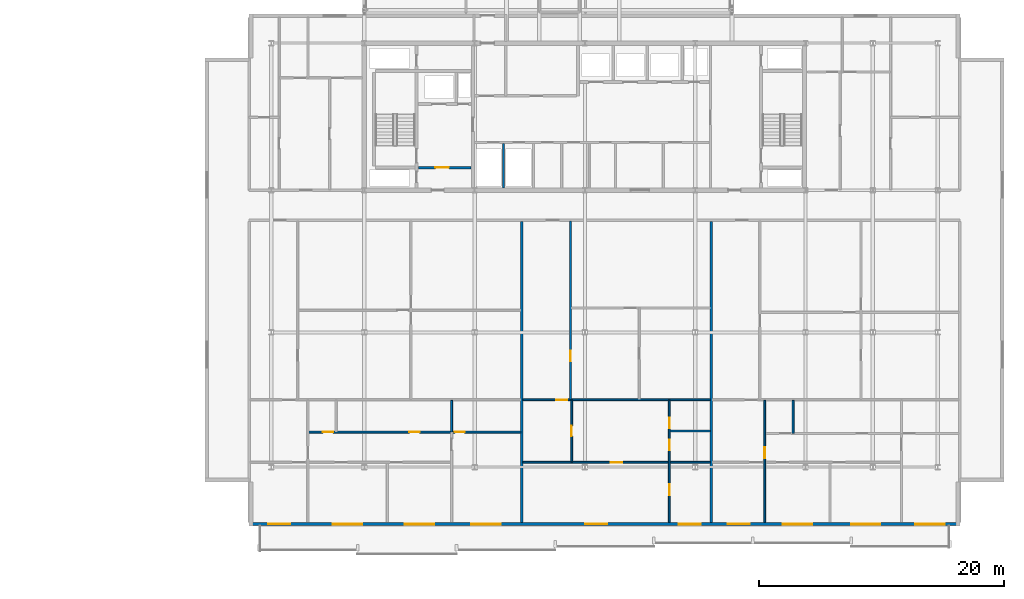
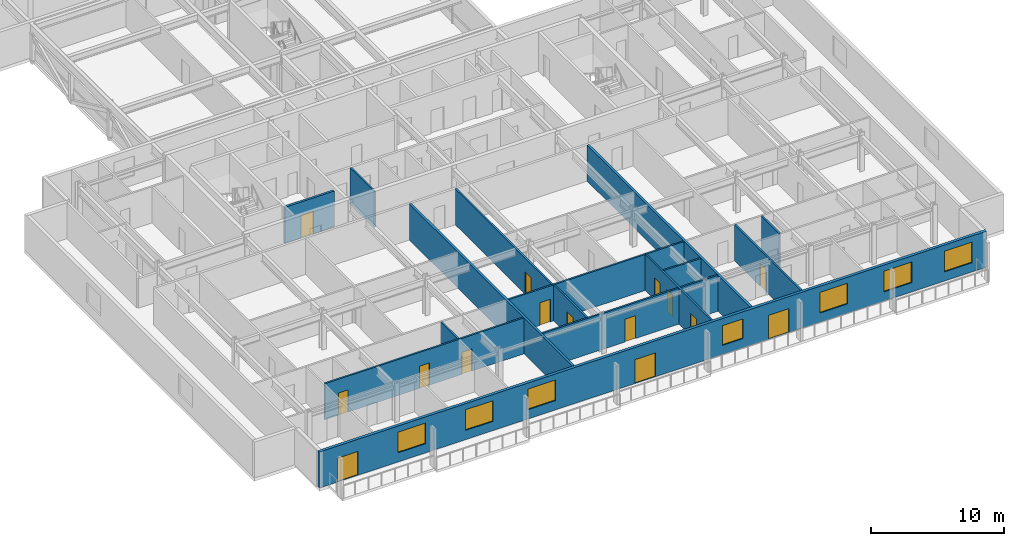
# One storey, part 18 of 36: 15 doors, 15 walls, 7 windows, 22 openings.
"""IFC4 building model written with IfcOpenShell, lengths in metres."""

from ifc_helpers import new_model, si_unit, direction, frame, frame_2d, origin, place, context, subcontext, project, spatial, rectangle, extrude, material, layer, layer_set, type_object, element, fill, save


model = new_model("IFC4")

# Units and contexts
model_context = context("Model", 3, precision=1e-05, world=origin(), true_north=direction((0.0, 1.0)))
body_context = subcontext(model_context, "Body", "Model", "MODEL_VIEW")
ifc_project = project(units=[si_unit("LENGTHUNIT", "METRE"), si_unit("AREAUNIT", "SQUARE_METRE"), si_unit("VOLUMEUNIT", "CUBIC_METRE"), si_unit("PLANEANGLEUNIT", "RADIAN"), si_unit("MASSUNIT", "GRAM", prefix="KILO")], contexts=[model_context])

# Site, building, storey
site_placement = place(None, origin())
site = spatial("IfcSite", under=ifc_project, at=site_placement, CompositionType="ELEMENT")
building_placement = place(site_placement, origin())
building = spatial("IfcBuilding", under=site, at=building_placement, Name="Korimba Cascade Residences", CompositionType="ELEMENT")
storey_placement = place(building_placement, frame((0.0, 0.0, 146.5)))
storey = spatial("IfcBuildingStorey", under=building, at=storey_placement, Name="L42", CompositionType="ELEMENT", Elevation=146.5)

# Wall, openings, doors, windows
ifc_material_1 = material(Name="Precast concrete C40/50", Category="concrete")
ifc_layer_1 = layer(ifc_material_1, 0.25)
ifc_layer_set_1 = layer_set([ifc_layer_1], Name="Precast concrete C40/50")
wall_type_1 = type_object("IfcWallType", Name="EW-LOG-250", PredefinedType="STANDARD", material=ifc_layer_set_1)
wall_1_placement = place(storey_placement, frame((72.699951171875, -8.85009765625, 0.0), z_axis=(0.0, 0.0, 1.0), x_axis=(1.0, 0.0, 0.0)))
wall_1 = element("IfcWall", 1, at=wall_1_placement, inside=storey, type_object=wall_type_1, Name="L42 T2 Perimeter Stone Wall E00", PredefinedType="STANDARD", context=body_context, shape_type="SweptSolid", body=[
    extrude(rectangle(XDim=58.0, YDim=0.25, at=frame_2d((29.0, 0.0))), origin(), (0.0, 0.0, 1.0), 3.31005859375),
])
opening_1_placement = place(wall_1_placement, frame((6.8349609375, 0.0, 0.85009765625)))
opening_1 = element("IfcOpeningElement", 2, at=opening_1_placement, cuts=wall_1, Name="Opening W-01", PredefinedType="OPENING", context=body_context, shape_type="SweptSolid", body=[
    extrude(rectangle(XDim=2.39990234375, YDim=1.89990234375, at=frame_2d((1.199951171875, 0.949951171875))), frame((0.0, 0.135009765625, 0.0), z_axis=(0.0, -1.0, 0.0), x_axis=(1.0, 0.0, 0.0)), (0.0, 0.0, 1.0), 0.27001953125),
])
opening_2_placement = place(wall_1_placement, frame((12.699951171875, 0.0, 0.85009765625)))
opening_2 = element("IfcOpeningElement", 3, at=opening_2_placement, cuts=wall_1, Name="Opening W-01", PredefinedType="OPENING", context=body_context, shape_type="SweptSolid", body=[
    extrude(rectangle(XDim=2.39990234375, YDim=1.89990234375, at=frame_2d((1.199951171875, 0.949951171875))), frame((0.0, 0.135009765625, 0.0), z_axis=(0.0, -1.0, 0.0), x_axis=(1.0, 0.0, 0.0)), (0.0, 0.0, 1.0), 0.27001953125),
])
opening_3_placement = place(wall_1_placement, frame((1.554931640625, 0.0, 0.0)))
opening_3 = element("IfcOpeningElement", 4, at=opening_3_placement, cuts=wall_1, Name="Opening D-LG1", PredefinedType="OPENING", context=body_context, shape_type="SweptSolid", body=[
    extrude(rectangle(XDim=1.800048828125, YDim=2.199951171875, at=frame_2d((0.89990234375, 1.10009765625))), frame((0.0, 0.135009765625, 0.0), z_axis=(0.0, -1.0, 0.0), x_axis=(1.0, 0.0, 0.0)), (0.0, 0.0, 1.0), 0.27001953125),
])
opening_4_placement = place(wall_1_placement, frame((18.125, 0.0, 0.85009765625)))
opening_4 = element("IfcOpeningElement", 5, at=opening_4_placement, cuts=wall_1, Name="Opening W-01", PredefinedType="OPENING", context=body_context, shape_type="SweptSolid", body=[
    extrude(rectangle(XDim=2.39990234375, YDim=1.89990234375, at=frame_2d((1.199951171875, 0.949951171875))), frame((0.0, 0.135009765625, 0.0), z_axis=(0.0, -1.0, 0.0), x_axis=(1.0, 0.0, 0.0)), (0.0, 0.0, 1.0), 0.27001953125),
])
opening_5_placement = place(wall_1_placement, frame((27.42919921875, 0.0, 0.0)))
opening_5 = element("IfcOpeningElement", 6, at=opening_5_placement, cuts=wall_1, Name="Opening D-LG1", PredefinedType="OPENING", context=body_context, shape_type="SweptSolid", body=[
    extrude(rectangle(XDim=1.800048828125, YDim=2.199951171875, at=frame_2d((0.89990234375, 1.10009765625))), frame((0.0, 0.135009765625, 0.0), z_axis=(0.0, -1.0, 0.0), x_axis=(1.0, 0.0, 0.0)), (0.0, 0.0, 1.0), 0.27001953125),
])
opening_6_placement = place(wall_1_placement, frame((35.038330078125, 0.0, 0.85009765625)))
opening_6 = element("IfcOpeningElement", 7, at=opening_6_placement, cuts=wall_1, Name="Opening W-02", PredefinedType="OPENING", context=body_context, shape_type="SweptSolid", body=[
    extrude(rectangle(XDim=1.800048828125, YDim=1.800048828125, at=frame_2d((0.89990234375, 0.89990234375))), frame((0.0, 0.135009765625, 0.0), z_axis=(0.0, -1.0, 0.0), x_axis=(1.0, 0.0, 0.0)), (0.0, 0.0, 1.0), 0.27001953125),
])
opening_7_placement = place(wall_1_placement, frame((43.541259765625, 0.0, 0.85009765625)))
opening_7 = element("IfcOpeningElement", 8, at=opening_7_placement, cuts=wall_1, Name="Opening W-01", PredefinedType="OPENING", context=body_context, shape_type="SweptSolid", body=[
    extrude(rectangle(XDim=2.39990234375, YDim=1.89990234375, at=frame_2d((1.199951171875, 0.949951171875))), frame((0.0, 0.135009765625, 0.0), z_axis=(0.0, -1.0, 0.0), x_axis=(1.0, 0.0, 0.0)), (0.0, 0.0, 1.0), 0.27001953125),
])
opening_8_placement = place(wall_1_placement, frame((49.1171875, 0.0, 0.85009765625)))
opening_8 = element("IfcOpeningElement", 9, at=opening_8_placement, cuts=wall_1, Name="Opening W-01", PredefinedType="OPENING", context=body_context, shape_type="SweptSolid", body=[
    extrude(rectangle(XDim=2.39990234375, YDim=1.89990234375, at=frame_2d((1.199951171875, 0.949951171875))), frame((0.0, 0.135009765625, 0.0), z_axis=(0.0, -1.0, 0.0), x_axis=(1.0, 0.0, 0.0)), (0.0, 0.0, 1.0), 0.27001953125),
])
opening_9_placement = place(wall_1_placement, frame((39.05322265625, 0.0, 0.0)))
opening_9 = element("IfcOpeningElement", 10, at=opening_9_placement, cuts=wall_1, Name="Opening D-LG1", PredefinedType="OPENING", context=body_context, shape_type="SweptSolid", body=[
    extrude(rectangle(XDim=1.800048828125, YDim=2.199951171875, at=frame_2d((0.89990234375, 1.10009765625))), frame((0.0, 0.135009765625, 0.0), z_axis=(0.0, -1.0, 0.0), x_axis=(1.0, 0.0, 0.0)), (0.0, 0.0, 1.0), 0.27001953125),
])
opening_10_placement = place(wall_1_placement, frame((54.35498046875, 0.0, 0.85009765625)))
opening_10 = element("IfcOpeningElement", 11, at=opening_10_placement, cuts=wall_1, Name="Opening W-01", PredefinedType="OPENING", context=body_context, shape_type="SweptSolid", body=[
    extrude(rectangle(XDim=2.39990234375, YDim=1.89990234375, at=frame_2d((1.199951171875, 0.949951171875))), frame((0.0, 0.135009765625, 0.0), z_axis=(0.0, -1.0, 0.0), x_axis=(1.0, 0.0, 0.0)), (0.0, 0.0, 1.0), 0.27001953125),
])
ifc_material_2 = material(Name="Glazed Aluminium Loggia Sliding Door", Category="aluminium")
door_type_1 = type_object("IfcDoorType", Name="DR-EXT-LOG", OperationType="NOTDEFINED", PredefinedType="DOOR", material=ifc_material_2)
door_1_placement = place(opening_3_placement, origin())
door_1 = element("IfcDoor", 12, at=door_1_placement, inside=storey, type_object=door_type_1, Name="L42 T2 Loggia Sliding Door 5", OperationType="SLIDING_TO_RIGHT", OverallHeight=2.199951171875, OverallWidth=1.800048828125, PredefinedType="DOOR", context=body_context, shape_type="SweptSolid", body=[
    extrude(rectangle(XDim=1.800048828125, YDim=2.199951171875, at=frame_2d((0.89990234375, 1.10009765625))), frame((0.0, 0.02490234375, 0.0), z_axis=(0.0, -1.0, 0.0), x_axis=(1.0, 0.0, 0.0)), (0.0, 0.0, 1.0), 0.050048828125),
])
fill(opening_3, door_1)
door_2_placement = place(opening_5_placement, origin())
door_2 = element("IfcDoor", 13, at=door_2_placement, inside=storey, type_object=door_type_1, Name="L42 T2 Loggia Sliding Door 7", OperationType="SLIDING_TO_RIGHT", OverallHeight=2.199951171875, OverallWidth=1.800048828125, PredefinedType="DOOR", context=body_context, shape_type="SweptSolid", body=[
    extrude(rectangle(XDim=1.800048828125, YDim=2.199951171875, at=frame_2d((0.89990234375, 1.10009765625))), frame((0.0, 0.02490234375, 0.0), z_axis=(0.0, -1.0, 0.0), x_axis=(1.0, 0.0, 0.0)), (0.0, 0.0, 1.0), 0.050048828125),
])
fill(opening_5, door_2)
door_3_placement = place(opening_9_placement, origin())
door_3 = element("IfcDoor", 14, at=door_3_placement, inside=storey, type_object=door_type_1, Name="L42 T2 Loggia Sliding Door 11", OperationType="SLIDING_TO_RIGHT", OverallHeight=2.199951171875, OverallWidth=1.800048828125, PredefinedType="DOOR", context=body_context, shape_type="SweptSolid", body=[
    extrude(rectangle(XDim=1.800048828125, YDim=2.199951171875, at=frame_2d((0.89990234375, 1.10009765625))), frame((0.0, 0.02490234375, 0.0), z_axis=(0.0, -1.0, 0.0), x_axis=(1.0, 0.0, 0.0)), (0.0, 0.0, 1.0), 0.050048828125),
])
fill(opening_9, door_3)
ifc_material_3 = material(Name="Double-Glazed Aluminium Window", Category="aluminium")
window_type_1 = type_object("IfcWindowType", Name="WIN-BED-1800", PartitioningType="SINGLE_PANEL", PredefinedType="WINDOW", material=ifc_material_3)
window_1_placement = place(opening_6_placement, origin())
window_1 = element("IfcWindow", 15, at=window_1_placement, inside=storey, type_object=window_type_1, Name="L42 T2 South Facade Window 8", OverallHeight=1.800048828125, OverallWidth=1.800048828125, PartitioningType="SINGLE_PANEL", PredefinedType="WINDOW", context=body_context, shape_type="SweptSolid", body=[
    extrude(rectangle(XDim=1.800048828125, YDim=1.800048828125, at=frame_2d((0.89990234375, 0.89990234375))), frame((0.0, 0.030029296875, 0.0), z_axis=(0.0, -1.0, 0.0), x_axis=(1.0, 0.0, 0.0)), (0.0, 0.0, 1.0), 0.06005859375),
])
fill(opening_6, window_1)
window_type_2 = type_object("IfcWindowType", Name="WIN-RES-2400", PartitioningType="DOUBLE_PANEL_VERTICAL", PredefinedType="WINDOW", material=ifc_material_3)
window_2_placement = place(opening_1_placement, origin())
window_2 = element("IfcWindow", 16, at=window_2_placement, inside=storey, type_object=window_type_2, Name="L42 T2 South Facade Window 3", OverallHeight=1.89990234375, OverallWidth=2.39990234375, PartitioningType="DOUBLE_PANEL_VERTICAL", PredefinedType="WINDOW", context=body_context, shape_type="SweptSolid", body=[
    extrude(rectangle(XDim=2.39990234375, YDim=1.89990234375, at=frame_2d((1.199951171875, 0.949951171875))), frame((0.0, 0.030029296875, 0.0), z_axis=(0.0, -1.0, 0.0), x_axis=(1.0, 0.0, 0.0)), (0.0, 0.0, 1.0), 0.06005859375),
])
fill(opening_1, window_2)
window_3_placement = place(opening_2_placement, origin())
window_3 = element("IfcWindow", 17, at=window_3_placement, inside=storey, type_object=window_type_2, Name="L42 T2 South Facade Window 4", OverallHeight=1.89990234375, OverallWidth=2.39990234375, PartitioningType="DOUBLE_PANEL_VERTICAL", PredefinedType="WINDOW", context=body_context, shape_type="SweptSolid", body=[
    extrude(rectangle(XDim=2.39990234375, YDim=1.89990234375, at=frame_2d((1.199951171875, 0.949951171875))), frame((0.0, 0.030029296875, 0.0), z_axis=(0.0, -1.0, 0.0), x_axis=(1.0, 0.0, 0.0)), (0.0, 0.0, 1.0), 0.06005859375),
])
fill(opening_2, window_3)
window_4_placement = place(opening_4_placement, origin())
window_4 = element("IfcWindow", 18, at=window_4_placement, inside=storey, type_object=window_type_2, Name="L42 T2 South Facade Window 6", OverallHeight=1.89990234375, OverallWidth=2.39990234375, PartitioningType="DOUBLE_PANEL_VERTICAL", PredefinedType="WINDOW", context=body_context, shape_type="SweptSolid", body=[
    extrude(rectangle(XDim=2.39990234375, YDim=1.89990234375, at=frame_2d((1.199951171875, 0.949951171875))), frame((0.0, 0.030029296875, 0.0), z_axis=(0.0, -1.0, 0.0), x_axis=(1.0, 0.0, 0.0)), (0.0, 0.0, 1.0), 0.06005859375),
])
fill(opening_4, window_4)
window_5_placement = place(opening_7_placement, origin())
window_5 = element("IfcWindow", 19, at=window_5_placement, inside=storey, type_object=window_type_2, Name="L42 T2 South Facade Window 9", OverallHeight=1.89990234375, OverallWidth=2.39990234375, PartitioningType="DOUBLE_PANEL_VERTICAL", PredefinedType="WINDOW", context=body_context, shape_type="SweptSolid", body=[
    extrude(rectangle(XDim=2.39990234375, YDim=1.89990234375, at=frame_2d((1.199951171875, 0.949951171875))), frame((0.0, 0.030029296875, 0.0), z_axis=(0.0, -1.0, 0.0), x_axis=(1.0, 0.0, 0.0)), (0.0, 0.0, 1.0), 0.06005859375),
])
fill(opening_7, window_5)
window_6_placement = place(opening_8_placement, origin())
window_6 = element("IfcWindow", 20, at=window_6_placement, inside=storey, type_object=window_type_2, Name="L42 T2 South Facade Window 10", OverallHeight=1.89990234375, OverallWidth=2.39990234375, PartitioningType="DOUBLE_PANEL_VERTICAL", PredefinedType="WINDOW", context=body_context, shape_type="SweptSolid", body=[
    extrude(rectangle(XDim=2.39990234375, YDim=1.89990234375, at=frame_2d((1.199951171875, 0.949951171875))), frame((0.0, 0.030029296875, 0.0), z_axis=(0.0, -1.0, 0.0), x_axis=(1.0, 0.0, 0.0)), (0.0, 0.0, 1.0), 0.06005859375),
])
fill(opening_8, window_6)
window_7_placement = place(opening_10_placement, origin())
window_7 = element("IfcWindow", 21, at=window_7_placement, inside=storey, type_object=window_type_2, Name="L42 T2 South Facade Window 12", OverallHeight=1.89990234375, OverallWidth=2.39990234375, PartitioningType="DOUBLE_PANEL_VERTICAL", PredefinedType="WINDOW", context=body_context, shape_type="SweptSolid", body=[
    extrude(rectangle(XDim=2.39990234375, YDim=1.89990234375, at=frame_2d((1.199951171875, 0.949951171875))), frame((0.0, 0.030029296875, 0.0), z_axis=(0.0, -1.0, 0.0), x_axis=(1.0, 0.0, 0.0)), (0.0, 0.0, 1.0), 0.06005859375),
])
fill(opening_10, window_7)

# Walls
ifc_layer_2 = layer(ifc_material_1, 0.199951171875)
ifc_layer_set_2 = layer_set([ifc_layer_2], Name="Precast concrete C40/50")
wall_type_2 = type_object("IfcWallType", Name="WAL-IT-200", PredefinedType="PARTITIONING", material=ifc_layer_set_2)
for number, where, z_axis, x_axis, name in (
    (22, (94.949951171875, -8.699951171875, 0.0), (0.0, 0.0, 1.0), (0.0, 1.0, 0.0), "L42 Partition Wall WAL-L42-T2-DEM-1"),
    (23, (110.408203125, -8.699951171875, 0.0), (0.0, 0.0, 1.0), (0.0, 1.0, 0.0), "L42 Partition Wall WAL-L42-T2-DEM-2"),
):
    element("IfcWall", number, at=place(storey_placement, frame(where, z_axis=z_axis, x_axis=x_axis)), inside=storey, type_object=wall_type_2, Name=name, PredefinedType="PARTITIONING", context=body_context, shape_type="SweptSolid", body=[
        extrude(rectangle(XDim=24.570068359375, YDim=0.199951171875, at=frame_2d((12.28515625, 0.0))), origin(), (0.0, 0.0, 1.0), 3.31005859375),
    ])
ifc_material_4 = material(Name="Insulated Acoustic Stud Partition", Category="gypsum")
ifc_layer_3 = layer(ifc_material_4, 0.14990234375)
ifc_layer_set_3 = layer_set([ifc_layer_3], Name="Insulated Acoustic Stud Partition")
wall_type_3 = type_object("IfcWallType", Name="WAL-PART-150", PredefinedType="PARTITIONING", material=ifc_layer_set_3)
wall_2_placement = place(storey_placement, frame((93.449951171875, 18.60009765625, 0.0), z_axis=(0.0, 0.0, 1.0), x_axis=(0.0, 1.0, 0.0)))
element("IfcWall", 24, at=wall_2_placement, inside=storey, type_object=wall_type_3, Name="L42 Partition Wall CW-L42-T2-ERDIV", PredefinedType="PARTITIONING", context=body_context, shape_type="SweptSolid", body=[
    extrude(rectangle(XDim=3.599853515625, YDim=0.14990234375, at=frame_2d((1.7998046875, 0.0))), origin(), (0.0, 0.0, 1.0), 3.31005859375),
])
wall_3_placement = place(storey_placement, frame((89.219970703125, -1.320068359375, 0.0), z_axis=(0.0, 0.0, 1.0), x_axis=(0.0, 1.0, 0.0)))
element("IfcWall", 25, at=wall_3_placement, inside=storey, type_object=wall_type_3, Name="L42 Partition Wall WAL-L42-T2-U01-VBATH", PredefinedType="PARTITIONING", context=body_context, shape_type="SweptSolid", body=[
    extrude(rectangle(XDim=2.580078125, YDim=0.14990234375, at=frame_2d((1.2900390625, 0.0))), origin(), (0.0, 0.0, 1.0), 3.31005859375),
])

# Wall, openings, doors
wall_4_placement = place(storey_placement, frame((77.530029296875, -1.340087890625, 0.0), z_axis=(0.0, 0.0, 1.0), x_axis=(1.0, 0.0, 0.0)))
wall_4 = element("IfcWall", 26, at=wall_4_placement, inside=storey, type_object=wall_type_3, Name="L42 Partition Wall WAL-L42-T2-U01-HWALL", PredefinedType="PARTITIONING", context=body_context, shape_type="SweptSolid", body=[
    extrude(rectangle(XDim=17.340087890625, YDim=0.14990234375, at=frame_2d((8.669921875, 0.0))), origin(), (0.0, 0.0, 1.0), 3.31005859375),
])
opening_11_placement = place(wall_4_placement, frame((1.19091796875, 0.0, 0.0)))
opening_11 = element("IfcOpeningElement", 27, at=opening_11_placement, cuts=wall_4, Name="Opening D-BT1", PredefinedType="OPENING", context=body_context, shape_type="SweptSolid", body=[
    extrude(rectangle(XDim=0.840087890625, YDim=2.0400390625, at=frame_2d((0.419921875, 1.02001953125))), frame((0.0, 0.0849609375, 0.0), z_axis=(0.0, -1.0, 0.0), x_axis=(1.0, 0.0, 0.0)), (0.0, 0.0, 1.0), 0.169921875),
])
opening_12_placement = place(wall_4_placement, frame((8.25, 0.0, 0.0)))
opening_12 = element("IfcOpeningElement", 28, at=opening_12_placement, cuts=wall_4, Name="Opening D-BT1", PredefinedType="OPENING", context=body_context, shape_type="SweptSolid", body=[
    extrude(rectangle(XDim=0.840087890625, YDim=2.0400390625, at=frame_2d((0.419921875, 1.02001953125))), frame((0.0, 0.0849609375, 0.0), z_axis=(0.0, -1.0, 0.0), x_axis=(1.0, 0.0, 0.0)), (0.0, 0.0, 1.0), 0.169921875),
])
opening_13_placement = place(wall_4_placement, frame((11.93994140625, 0.0, 0.0)))
opening_13 = element("IfcOpeningElement", 29, at=opening_13_placement, cuts=wall_4, Name="Opening D-BT1", PredefinedType="OPENING", context=body_context, shape_type="SweptSolid", body=[
    extrude(rectangle(XDim=0.840087890625, YDim=2.0400390625, at=frame_2d((0.419921875, 1.02001953125))), frame((0.0, 0.0849609375, 0.0), z_axis=(0.0, -1.0, 0.0), x_axis=(1.0, 0.0, 0.0)), (0.0, 0.0, 1.0), 0.169921875),
])
ifc_material_5 = material(Name="Moisture-Resistant Bathroom Timber Door", Category="wood")
door_type_2 = type_object("IfcDoorType", Name="DR-INT-850", OperationType="NOTDEFINED", PredefinedType="DOOR", material=ifc_material_5)
door_4_placement = place(opening_11_placement, origin())
door_4 = element("IfcDoor", 30, at=door_4_placement, inside=storey, type_object=door_type_2, Name="L42-T2-U01 Family Bathroom Door", OperationType="SINGLE_SWING_LEFT", OverallHeight=2.0400390625, OverallWidth=0.840087890625, PredefinedType="DOOR", context=body_context, shape_type="SweptSolid", body=[
    extrude(rectangle(XDim=0.840087890625, YDim=2.0400390625, at=frame_2d((0.419921875, 1.02001953125))), frame((0.0, 0.02490234375, 0.0), z_axis=(0.0, -1.0, 0.0), x_axis=(1.0, 0.0, 0.0)), (0.0, 0.0, 1.0), 0.050048828125),
])
fill(opening_11, door_4)
door_5_placement = place(opening_12_placement, origin())
door_5 = element("IfcDoor", 31, at=door_5_placement, inside=storey, type_object=door_type_2, Name="L42-T2-U01 Dressing Room Door", OperationType="SINGLE_SWING_RIGHT", OverallHeight=2.0400390625, OverallWidth=0.840087890625, PredefinedType="DOOR", context=body_context, shape_type="SweptSolid", body=[
    extrude(rectangle(XDim=0.840087890625, YDim=2.0400390625, at=frame_2d((0.419921875, 1.02001953125))), frame((0.0, 0.02490234375, 0.0), z_axis=(0.0, -1.0, 0.0), x_axis=(1.0, 0.0, 0.0)), (0.0, 0.0, 1.0), 0.050048828125),
])
fill(opening_12, door_5)
door_6_placement = place(opening_13_placement, origin())
door_6 = element("IfcDoor", 32, at=door_6_placement, inside=storey, type_object=door_type_2, Name="L42-T2-U01 En-Suite Door", OperationType="SINGLE_SWING_LEFT", OverallHeight=2.0400390625, OverallWidth=0.840087890625, PredefinedType="DOOR", context=body_context, shape_type="SweptSolid", body=[
    extrude(rectangle(XDim=0.840087890625, YDim=2.0400390625, at=frame_2d((0.419921875, 1.02001953125))), frame((0.0, 0.02490234375, 0.0), z_axis=(0.0, -1.0, 0.0), x_axis=(1.0, 0.0, 0.0)), (0.0, 0.0, 1.0), 0.050048828125),
])
fill(opening_13, door_6)

# Wall, opening, door
wall_5_placement = place(storey_placement, frame((98.919921875, 1.340087890625, 0.0), z_axis=(0.0, 0.0, 1.0), x_axis=(0.0, 1.0, 0.0)))
wall_5 = element("IfcWall", 33, at=wall_5_placement, inside=storey, type_object=wall_type_3, Name="L42 Partition Wall WAL-L42-T2-U02-FV", PredefinedType="PARTITIONING", context=body_context, shape_type="SweptSolid", body=[
    extrude(rectangle(XDim=14.5498046875, YDim=0.14990234375, at=frame_2d((7.27490234375, 0.0))), origin(), (0.0, 0.0, 1.0), 3.31005859375),
])
opening_14_placement = place(wall_5_placement, frame((3.098388671875, 0.0, 0.0)))
opening_14 = element("IfcOpeningElement", 34, at=opening_14_placement, cuts=wall_5, Name="Opening D-IN2", PredefinedType="OPENING", context=body_context, shape_type="SweptSolid", body=[
    extrude(rectangle(XDim=0.8798828125, YDim=2.06005859375, at=frame_2d((0.43994140625, 1.030029296875))), frame((0.0, 0.0849609375, 0.0), z_axis=(0.0, -1.0, 0.0), x_axis=(1.0, 0.0, 0.0)), (0.0, 0.0, 1.0), 0.169921875),
])
ifc_material_6 = material(Name="Acoustic Timber Bedroom Door", Category="wood")
door_type_3 = type_object("IfcDoorType", Name="DR-INT-880", OperationType="NOTDEFINED", PredefinedType="DOOR", material=ifc_material_6)
door_7_placement = place(opening_14_placement, origin())
door_7 = element("IfcDoor", 35, at=door_7_placement, inside=storey, type_object=door_type_3, Name="L42-T2-U02 Media Lounge Door", OperationType="SINGLE_SWING_RIGHT", OverallHeight=2.06005859375, OverallWidth=0.8798828125, PredefinedType="DOOR", context=body_context, shape_type="SweptSolid", body=[
    extrude(rectangle(XDim=0.8798828125, YDim=2.06005859375, at=frame_2d((0.43994140625, 1.030029296875))), frame((0.0, 0.02490234375, 0.0), z_axis=(0.0, -1.0, 0.0), x_axis=(1.0, 0.0, 0.0)), (0.0, 0.0, 1.0), 0.050048828125),
])
fill(opening_14, door_7)

wall_6_placement = place(storey_placement, frame((99.02001953125, -3.739990234375, 0.0), z_axis=(0.0, 0.0, 1.0), x_axis=(0.0, 1.0, 0.0)))
wall_6 = element("IfcWall", 36, at=wall_6_placement, inside=storey, type_object=wall_type_3, Name="L42 Partition Wall WAL-L42-T2-U02-VDIN", PredefinedType="PARTITIONING", context=body_context, shape_type="SweptSolid", body=[
    extrude(rectangle(XDim=5.0, YDim=0.14990234375, at=frame_2d((2.5, 0.0))), origin(), (0.0, 0.0, 1.0), 3.31005859375),
])
opening_15_placement = place(wall_6_placement, frame((2.06005859375, 0.0, 0.0)))
opening_15 = element("IfcOpeningElement", 37, at=opening_15_placement, cuts=wall_6, Name="Opening D-IN2", PredefinedType="OPENING", context=body_context, shape_type="SweptSolid", body=[
    extrude(rectangle(XDim=0.8798828125, YDim=2.06005859375, at=frame_2d((0.43994140625, 1.030029296875))), frame((0.0, 0.0849609375, 0.0), z_axis=(0.0, -1.0, 0.0), x_axis=(1.0, 0.0, 0.0)), (0.0, 0.0, 1.0), 0.169921875),
])
door_8_placement = place(opening_15_placement, origin())
door_8 = element("IfcDoor", 38, at=door_8_placement, inside=storey, type_object=door_type_3, Name="L42-T2-U02 Dining Room Door", OperationType="SINGLE_SWING_LEFT", OverallHeight=2.06005859375, OverallWidth=0.8798828125, PredefinedType="DOOR", context=body_context, shape_type="SweptSolid", body=[
    extrude(rectangle(XDim=0.8798828125, YDim=2.06005859375, at=frame_2d((0.43994140625, 1.030029296875))), frame((0.0, 0.02490234375, 0.0), z_axis=(0.0, -1.0, 0.0), x_axis=(1.0, 0.0, 0.0)), (0.0, 0.0, 1.0), 0.050048828125),
])
fill(opening_15, door_8)

# Wall
wall_7_placement = place(storey_placement, frame((107.04833984375, -1.239990234375, 0.0), z_axis=(0.0, 0.0, 1.0), x_axis=(1.0, 0.0, 0.0)))
element("IfcWall", 39, at=wall_7_placement, inside=storey, type_object=wall_type_3, Name="L42 Partition Wall WAL-L42-T2-U02-BLDIV", PredefinedType="PARTITIONING", context=body_context, shape_type="SweptSolid", body=[
    extrude(rectangle(XDim=3.280029296875, YDim=0.14990234375, at=frame_2d((1.64013671875, 0.0))), origin(), (0.0, 0.0, 1.0), 3.31005859375),
])

# Wall, openings, doors
wall_8_placement = place(storey_placement, frame((106.98828125, -8.699951171875, 0.0), z_axis=(0.0, 0.0, 1.0), x_axis=(0.0, 1.0, 0.0)))
wall_8 = element("IfcWall", 40, at=wall_8_placement, inside=storey, type_object=wall_type_3, Name="L42 Partition Wall WAL-L42-T2-U02-V1", PredefinedType="PARTITIONING", context=body_context, shape_type="SweptSolid", body=[
    extrude(rectangle(XDim=9.9599609375, YDim=0.14990234375, at=frame_2d((4.97998046875, 0.0))), origin(), (0.0, 0.0, 1.0), 3.31005859375),
])
opening_16_placement = place(wall_8_placement, frame((5.894287109375, 0.0, 0.0)))
opening_16 = element("IfcOpeningElement", 41, at=opening_16_placement, cuts=wall_8, Name="Opening D-BT1", PredefinedType="OPENING", context=body_context, shape_type="SweptSolid", body=[
    extrude(rectangle(XDim=0.840087890625, YDim=2.0400390625, at=frame_2d((0.419921875, 1.02001953125))), frame((0.0, 0.0849609375, 0.0), z_axis=(0.0, -1.0, 0.0), x_axis=(1.0, 0.0, 0.0)), (0.0, 0.0, 1.0), 0.169921875),
])
opening_17_placement = place(wall_8_placement, frame((7.689697265625, 0.0, 0.0)))
opening_17 = element("IfcOpeningElement", 42, at=opening_17_placement, cuts=wall_8, Name="Opening D-BT1", PredefinedType="OPENING", context=body_context, shape_type="SweptSolid", body=[
    extrude(rectangle(XDim=0.840087890625, YDim=2.0400390625, at=frame_2d((0.419921875, 1.02001953125))), frame((0.0, 0.0849609375, 0.0), z_axis=(0.0, -1.0, 0.0), x_axis=(1.0, 0.0, 0.0)), (0.0, 0.0, 1.0), 0.169921875),
])
opening_18_placement = place(wall_8_placement, frame((2.222900390625, 0.0, 0.0)))
opening_18 = element("IfcOpeningElement", 43, at=opening_18_placement, cuts=wall_8, Name="Opening D-IN2", PredefinedType="OPENING", context=body_context, shape_type="SweptSolid", body=[
    extrude(rectangle(XDim=0.8798828125, YDim=2.06005859375, at=frame_2d((0.43994140625, 1.030029296875))), frame((0.0, 0.0849609375, 0.0), z_axis=(0.0, -1.0, 0.0), x_axis=(1.0, 0.0, 0.0)), (0.0, 0.0, 1.0), 0.169921875),
])
door_9_placement = place(opening_16_placement, origin())
door_9 = element("IfcDoor", 44, at=door_9_placement, inside=storey, type_object=door_type_2, Name="L42-T2-U02 Bathroom Door", OperationType="SINGLE_SWING_RIGHT", OverallHeight=2.0400390625, OverallWidth=0.840087890625, PredefinedType="DOOR", context=body_context, shape_type="SweptSolid", body=[
    extrude(rectangle(XDim=0.840087890625, YDim=2.0400390625, at=frame_2d((0.419921875, 1.02001953125))), frame((0.0, 0.02490234375, 0.0), z_axis=(0.0, -1.0, 0.0), x_axis=(1.0, 0.0, 0.0)), (0.0, 0.0, 1.0), 0.050048828125),
])
fill(opening_16, door_9)
door_10_placement = place(opening_17_placement, origin())
door_10 = element("IfcDoor", 45, at=door_10_placement, inside=storey, type_object=door_type_2, Name="L42-T2-U02 Laundry Door", OperationType="SINGLE_SWING_LEFT", OverallHeight=2.0400390625, OverallWidth=0.840087890625, PredefinedType="DOOR", context=body_context, shape_type="SweptSolid", body=[
    extrude(rectangle(XDim=0.840087890625, YDim=2.0400390625, at=frame_2d((0.419921875, 1.02001953125))), frame((0.0, 0.02490234375, 0.0), z_axis=(0.0, -1.0, 0.0), x_axis=(1.0, 0.0, 0.0)), (0.0, 0.0, 1.0), 0.050048828125),
])
fill(opening_17, door_10)
door_11_placement = place(opening_18_placement, origin())
door_11 = element("IfcDoor", 46, at=door_11_placement, inside=storey, type_object=door_type_3, Name="L42-T2-U02 Bedroom 1 Door", OperationType="SINGLE_SWING_RIGHT", OverallHeight=2.06005859375, OverallWidth=0.8798828125, PredefinedType="DOOR", context=body_context, shape_type="SweptSolid", body=[
    extrude(rectangle(XDim=0.8798828125, YDim=2.06005859375, at=frame_2d((0.43994140625, 1.030029296875))), frame((0.0, 0.02490234375, 0.0), z_axis=(0.0, -1.0, 0.0), x_axis=(1.0, 0.0, 0.0)), (0.0, 0.0, 1.0), 0.050048828125),
])
fill(opening_18, door_11)

# Wall, opening, door
wall_9_placement = place(storey_placement, frame((95.030029296875, 1.300048828125, 0.0), z_axis=(0.0, 0.0, 1.0), x_axis=(1.0, 0.0, 0.0)))
wall_9 = element("IfcWall", 47, at=wall_9_placement, inside=storey, type_object=wall_type_3, Name="L42 Partition Wall WAL-L42-T2-U02-MW", PredefinedType="PARTITIONING", context=body_context, shape_type="SweptSolid", body=[
    extrude(rectangle(XDim=15.29833984375, YDim=0.14990234375, at=frame_2d((7.649169921875, 0.0))), origin(), (0.0, 0.0, 1.0), 3.31005859375),
])
opening_19_placement = place(wall_9_placement, frame((2.719970703125, 0.0, 0.0)))
opening_19 = element("IfcOpeningElement", 48, at=opening_19_placement, cuts=wall_9, Name="Opening D-IN1", PredefinedType="OPENING", context=body_context, shape_type="SweptSolid", body=[
    extrude(rectangle(XDim=0.919921875, YDim=2.080078125, at=frame_2d((0.4599609375, 1.0400390625))), frame((0.0, 0.0849609375, 0.0), z_axis=(0.0, -1.0, 0.0), x_axis=(1.0, 0.0, 0.0)), (0.0, 0.0, 1.0), 0.169921875),
])
ifc_material_7 = material(Name="Acoustic Timber Living Door", Category="wood")
door_type_4 = type_object("IfcDoorType", Name="DR-INT-920", OperationType="NOTDEFINED", PredefinedType="DOOR", material=ifc_material_7)
door_12_placement = place(opening_19_placement, origin())
door_12 = element("IfcDoor", 49, at=door_12_placement, inside=storey, type_object=door_type_4, Name="L42-T2-U02 Kitchen Archway Door", OperationType="SINGLE_SWING_LEFT", OverallHeight=2.080078125, OverallWidth=0.919921875, PredefinedType="DOOR", context=body_context, shape_type="SweptSolid", body=[
    extrude(rectangle(XDim=0.919921875, YDim=2.080078125, at=frame_2d((0.4599609375, 1.0400390625))), frame((0.0, 0.02490234375, 0.0), z_axis=(0.0, -1.0, 0.0), x_axis=(1.0, 0.0, 0.0)), (0.0, 0.0, 1.0), 0.050048828125),
])
fill(opening_19, door_12)

wall_10_placement = place(storey_placement, frame((95.030029296875, -3.800048828125, 0.0), z_axis=(0.0, 0.0, 1.0), x_axis=(1.0, 0.0, 0.0)))
wall_10 = element("IfcWall", 50, at=wall_10_placement, inside=storey, type_object=wall_type_3, Name="L42 Partition Wall WAL-L42-T2-U02-HZ", PredefinedType="PARTITIONING", context=body_context, shape_type="SweptSolid", body=[
    extrude(rectangle(XDim=15.29833984375, YDim=0.14990234375, at=frame_2d((7.649169921875, 0.0))), origin(), (0.0, 0.0, 1.0), 3.31005859375),
])
opening_20_placement = place(wall_10_placement, frame((7.17919921875, 0.0, 0.0)))
opening_20 = element("IfcOpeningElement", 51, at=opening_20_placement, cuts=wall_10, Name="Opening D-IN0", PredefinedType="OPENING", context=body_context, shape_type="SweptSolid", body=[
    extrude(rectangle(XDim=0.93994140625, YDim=2.10009765625, at=frame_2d((0.469970703125, 1.050048828125))), frame((0.0, 0.0849609375, 0.0), z_axis=(0.0, -1.0, 0.0), x_axis=(1.0, 0.0, 0.0)), (0.0, 0.0, 1.0), 0.169921875),
])
ifc_material_8 = material(Name="Acoustic Timber Living Archway Door", Category="wood")
door_type_5 = type_object("IfcDoorType", Name="DR-INT-950", OperationType="NOTDEFINED", PredefinedType="DOOR", material=ifc_material_8)
door_13_placement = place(opening_20_placement, origin())
door_13 = element("IfcDoor", 52, at=door_13_placement, inside=storey, type_object=door_type_5, Name="L42-T2-U02 Living Archway Door", OperationType="SINGLE_SWING_RIGHT", OverallHeight=2.10009765625, OverallWidth=0.93994140625, PredefinedType="DOOR", context=body_context, shape_type="SweptSolid", body=[
    extrude(rectangle(XDim=0.93994140625, YDim=2.10009765625, at=frame_2d((0.469970703125, 1.050048828125))), frame((0.0, 0.02490234375, 0.0), z_axis=(0.0, -1.0, 0.0), x_axis=(1.0, 0.0, 0.0)), (0.0, 0.0, 1.0), 0.050048828125),
])
fill(opening_20, door_13)

# Wall
wall_11_placement = place(storey_placement, frame((117.08837890625, -1.429931640625, 0.0), z_axis=(0.0, 0.0, 1.0), x_axis=(0.0, 1.0, 0.0)))
element("IfcWall", 53, at=wall_11_placement, inside=storey, type_object=wall_type_3, Name="L42 Partition Wall WAL-L42-T2-U03-VDRS", PredefinedType="PARTITIONING", context=body_context, shape_type="SweptSolid", body=[
    extrude(rectangle(XDim=2.68994140625, YDim=0.14990234375, at=frame_2d((1.344970703125, 0.0))), origin(), (0.0, 0.0, 1.0), 3.31005859375),
])

# Wall, opening, door
wall_12_placement = place(storey_placement, frame((114.7783203125, -8.699951171875, 0.0), z_axis=(0.0, 0.0, 1.0), x_axis=(0.0, 1.0, 0.0)))
wall_12 = element("IfcWall", 54, at=wall_12_placement, inside=storey, type_object=wall_type_3, Name="L42 Partition Wall WAL-L42-T2-U03-V1", PredefinedType="PARTITIONING", context=body_context, shape_type="SweptSolid", body=[
    extrude(rectangle(XDim=9.9599609375, YDim=0.14990234375, at=frame_2d((4.97998046875, 0.0))), origin(), (0.0, 0.0, 1.0), 3.31005859375),
])
opening_21_placement = place(wall_12_placement, frame((5.219970703125, 0.0, 0.0)))
opening_21 = element("IfcOpeningElement", 55, at=opening_21_placement, cuts=wall_12, Name="Opening D-IN1", PredefinedType="OPENING", context=body_context, shape_type="SweptSolid", body=[
    extrude(rectangle(XDim=0.919921875, YDim=2.080078125, at=frame_2d((0.4599609375, 1.0400390625))), frame((0.0, 0.0849609375, 0.0), z_axis=(0.0, -1.0, 0.0), x_axis=(1.0, 0.0, 0.0)), (0.0, 0.0, 1.0), 0.169921875),
])
door_14_placement = place(opening_21_placement, origin())
door_14 = element("IfcDoor", 56, at=door_14_placement, inside=storey, type_object=door_type_4, Name="L42-T2-U03 Hallway Door", OperationType="SINGLE_SWING_LEFT", OverallHeight=2.080078125, OverallWidth=0.919921875, PredefinedType="DOOR", context=body_context, shape_type="SweptSolid", body=[
    extrude(rectangle(XDim=0.919921875, YDim=2.080078125, at=frame_2d((0.4599609375, 1.0400390625))), frame((0.0, 0.02490234375, 0.0), z_axis=(0.0, -1.0, 0.0), x_axis=(1.0, 0.0, 0.0)), (0.0, 0.0, 1.0), 0.050048828125),
])
fill(opening_21, door_14)

ifc_material_9 = material(Name="Concrete C40/50", Category="concrete")
ifc_layer_4 = layer(ifc_material_9, 0.199951171875)
ifc_layer_set_4 = layer_set([ifc_layer_4], Name="Concrete C40/50")
wall_type_4 = type_object("IfcWallType", Name="WAL-PART-200", PredefinedType="PARTITIONING", material=ifc_layer_set_4)
wall_13_placement = place(storey_placement, frame((86.5, 20.25, 0.0), z_axis=(0.0, 0.0, 1.0), x_axis=(1.0, 0.0, 0.0)))
wall_13 = element("IfcWall", 57, at=wall_13_placement, inside=storey, type_object=wall_type_4, Name="L42 Partition Wall CW-L42-T2-FFLS", PredefinedType="PARTITIONING", context=body_context, shape_type="SweptSolid", body=[
    extrude(rectangle(XDim=4.320068359375, YDim=0.199951171875, at=frame_2d((2.16015625, 0.0))), origin(), (0.0, 0.0, 1.0), 3.31005859375),
])
opening_22_placement = place(wall_13_placement, frame((1.39990234375, 0.0, 0.0)))
opening_22 = element("IfcOpeningElement", 58, at=opening_22_placement, cuts=wall_13, Name="Opening D-FD1", PredefinedType="OPENING", context=body_context, shape_type="SweptSolid", body=[
    extrude(rectangle(XDim=1.10009765625, YDim=2.10009765625, at=frame_2d((0.550048828125, 1.050048828125))), frame((0.0, 0.10986328125, 0.0), z_axis=(0.0, -1.0, 0.0), x_axis=(1.0, 0.0, 0.0)), (0.0, 0.0, 1.0), 0.219970703125),
])
ifc_material_10 = material(Name="Fire-Rated Steel Core Door", Category="steel")
door_type_6 = type_object("IfcDoorType", Name="DR-FD120-1100", OperationType="NOTDEFINED", PredefinedType="DOOR", material=ifc_material_10)
door_15_placement = place(opening_22_placement, origin())
door_15 = element("IfcDoor", 59, at=door_15_placement, inside=storey, type_object=door_type_6, Name="L42 T2 Firefighting Lobby Door", OperationType="SINGLE_SWING_RIGHT", OverallHeight=2.10009765625, OverallWidth=1.10009765625, PredefinedType="DOOR", context=body_context, shape_type="SweptSolid", body=[
    extrude(rectangle(XDim=1.10009765625, YDim=2.10009765625, at=frame_2d((0.550048828125, 1.050048828125))), frame((0.0, 0.02490234375, 0.0), z_axis=(0.0, -1.0, 0.0), x_axis=(1.0, 0.0, 0.0)), (0.0, 0.0, 1.0), 0.050048828125),
])
fill(opening_22, door_15)

save(model, "model.ifc")
